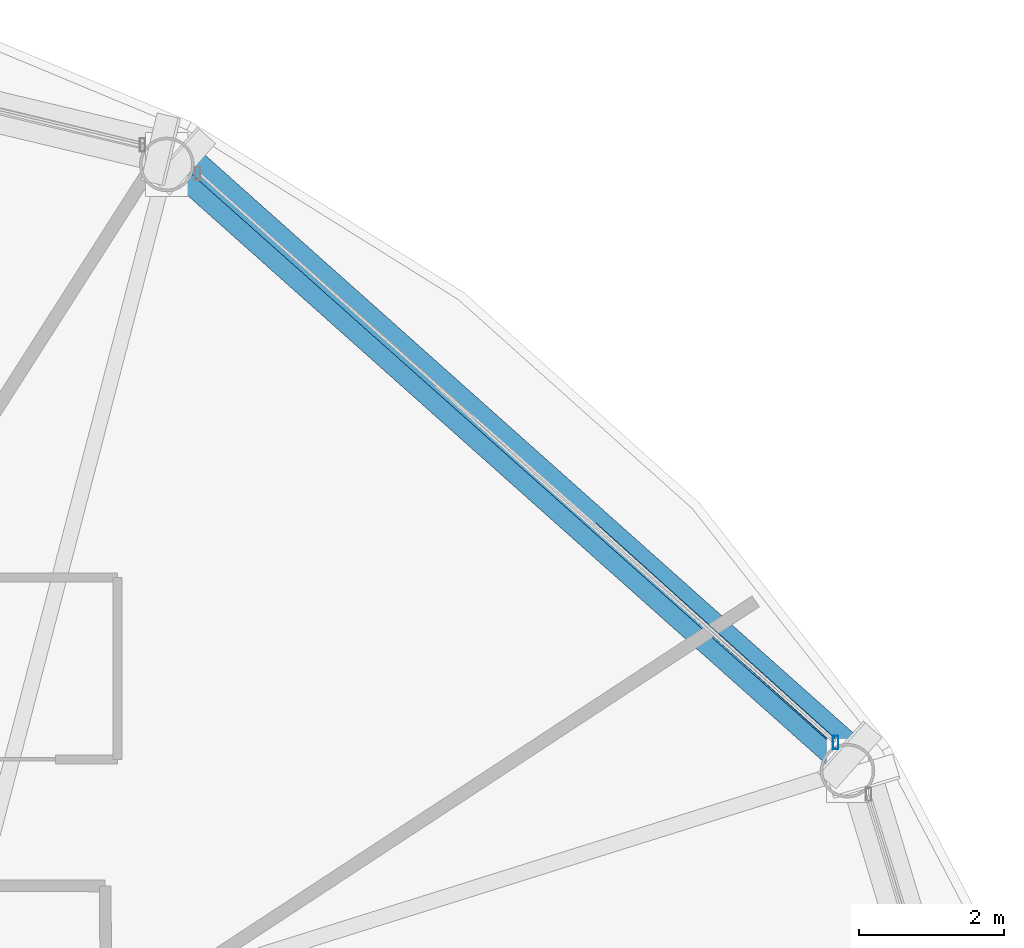
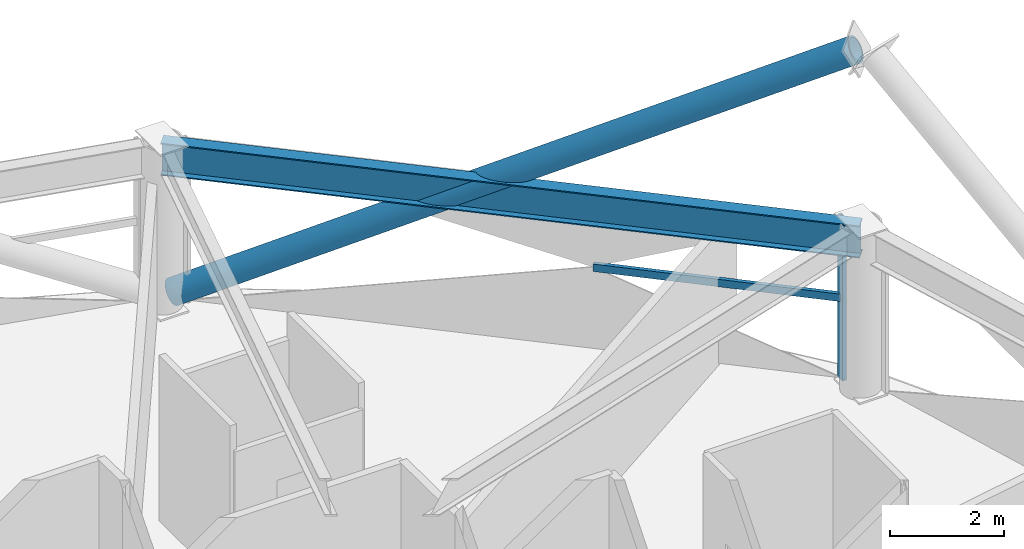
# One storey, part 19 of 32: 3 members, 1 beam, 1 element without a shape of its own.
"""IFC4 building model written with IfcOpenShell, lengths in metres."""

from ifc_helpers import new_model, si_unit, direction, frame, origin, origin_2d, place, context, subcontext, project, spatial, hollow_rectangle, hollow_circle, i_section, extrude, material, layer, layer_set, material_profile, profile_set, type_object, element, aggregate, save


model = new_model("IFC4")

# Units and contexts
model_context = context("Model", 3, precision=1e-05, world=origin(), true_north=direction((0.0, 1.0)))
body_context = subcontext(model_context, "Body", "Model", "MODEL_VIEW")
ifc_project = project(units=[si_unit("LENGTHUNIT", "METRE"), si_unit("AREAUNIT", "SQUARE_METRE"), si_unit("VOLUMEUNIT", "CUBIC_METRE"), si_unit("PLANEANGLEUNIT", "RADIAN"), si_unit("MASSUNIT", "GRAM", prefix="KILO")], contexts=[model_context])

# Site, building, storey
site_placement = place(None, origin())
site = spatial("IfcSite", under=ifc_project, at=site_placement, CompositionType="ELEMENT")
building_placement = place(site_placement, origin())
building = spatial("IfcBuilding", under=site, at=building_placement, Name="Vantalir Tower", CompositionType="ELEMENT")
storey_placement = place(building_placement, frame((0.0, 0.0, 104.699951171875)))
storey = spatial("IfcBuildingStorey", under=building, at=storey_placement, Name="L25", CompositionType="ELEMENT", Elevation=104.699951171875)

# Beam
ifc_material_1 = material(Name="Steel S460", Category="steel")
ifc_material_profile_1 = material_profile(ifc_material_1, i_section(OverallWidth=0.256103515625, OverallDepth=0.693115234375, WebThickness=0.014404296875, FlangeThickness=0.023681640625, at=origin_2d()), Name="Steel S460")
ifc_profile_set_1 = profile_set([ifc_material_profile_1], Name="Steel S460")
beam_type = type_object("IfcBeamType", Name="BM-RG-686x254", PredefinedType="USERDEFINED", material=ifc_profile_set_1)
beam_placement = place(storey_placement, frame((53.659912109375, 36.39404296875, 3.22314453125), z_axis=(-0.746784993974, 0.665065540211, 0.0), x_axis=(-0.665065540211, -0.746784993974, 0.0)))
element("IfcBeam", 1, at=beam_placement, inside=storey, type_object=beam_type, Name="L25 Circumferential Ring Girder 02", ObjectType="GIRDER", PredefinedType="USERDEFINED", context=body_context, shape_type="SweptSolid", body=[
    extrude(i_section(OverallWidth=0.256103515625, OverallDepth=0.693115234375, WebThickness=0.014404296875, FlangeThickness=0.023681640625, at=origin_2d()), origin(), (0.0, 0.0, 1.0), 12.541748046875),
])

# Curtain wall, members
ifc_material_2 = material(Name="Champagne-silver PVDF aluminium and double-silver Low-E glass", Category="aluminium")
ifc_layer = layer(ifc_material_2, 0.199951171875)
ifc_layer_set = layer_set([ifc_layer], Name="Champagne-silver PVDF aluminium and double-silver Low-E glass")
curtain_wall_type = type_object("IfcCurtainWallType", Name="CW-DIAMOND-Z2", PredefinedType="USERDEFINED", material=ifc_layer_set)
curtain_wall_placement = place(storey_placement, origin())
curtain_wall = element("IfcCurtainWall", 2, at=curtain_wall_placement, inside=storey, type_object=curtain_wall_type, Name="L25 Quilted Pyramid-Diamond Curtain Wall S02", ObjectType="UNITISED CURTAIN WALL", PredefinedType="USERDEFINED")
ifc_material_3 = material(Name="Champagne-silver PVDF aluminium 6063-T6", Category="aluminium")
ifc_material_profile_2 = material_profile(ifc_material_3, hollow_rectangle(XDim=0.074951171875, YDim=0.179931640625, WallThickness=0.00390625, at=origin_2d()), Name="Champagne-silver PVDF aluminium 6063-T6")
ifc_profile_set_2 = profile_set([ifc_material_profile_2], Name="Champagne-silver PVDF aluminium 6063-T6")
member_type_1 = type_object("IfcMemberType", Name="CWM-180x75", PredefinedType="MULLION", material=ifc_profile_set_2)
member_1_placement = place(storey_placement, frame((53.49609375, 36.781982421875, 0.045166015625), z_axis=(0.0, 0.0, 1.0), x_axis=(1.0, 0.0, 0.0)))
member_1 = element("IfcMember", 3, at=member_1_placement, type_object=member_type_1, Name="CW-L25-S02 Mullion 1", PredefinedType="MULLION", context=body_context, shape_type="SweptSolid", body=[
    extrude(hollow_rectangle(XDim=0.074951171875, YDim=0.179931640625, WallThickness=0.00390625, at=origin_2d()), origin(), (0.0, 0.0, 1.0), 3.47998046875),
])
ifc_material_profile_3 = material_profile(ifc_material_3, hollow_rectangle(XDim=0.074951171875, YDim=0.159912109375, WallThickness=0.00390625, at=origin_2d()), Name="Champagne-silver PVDF aluminium 6063-T6")
ifc_profile_set_3 = profile_set([ifc_material_profile_3], Name="Champagne-silver PVDF aluminium 6063-T6")
member_type_2 = type_object("IfcMemberType", Name="CWT-160x75", PredefinedType="USERDEFINED", material=ifc_profile_set_3)
member_2_placement = place(storey_placement, frame((53.49609375, 36.781982421875, 1.78515625), z_axis=(-0.743003128347, 0.669287943464, 0.0), x_axis=(-0.669287943464, -0.743003128347, 0.0)))
member_2 = element("IfcMember", 4, at=member_2_placement, type_object=member_type_2, Name="CW-L25-S02 Pyramid Fold Ridge Transom", ObjectType="TRANSOM", PredefinedType="USERDEFINED", context=body_context, shape_type="SweptSolid", body=[
    extrude(hollow_rectangle(XDim=0.074951171875, YDim=0.159912109375, WallThickness=0.00390625, at=origin_2d()), origin(), (0.0, 0.0, 1.0), 4.464599609375),
])
aggregate(curtain_wall, [member_1, member_2])

# Member
ifc_material_profile_4 = material_profile(ifc_material_1, hollow_circle(Radius=0.260009765625, WallThickness=0.0380859375, at=origin_2d()), Name="Steel S460")
ifc_profile_set_4 = profile_set([ifc_material_profile_4], Name="Steel S460")
member_type_3 = type_object("IfcMemberType", Name="MEM-DB-520x38", PredefinedType="BRACE", material=ifc_profile_set_4)
member_3_placement = place(storey_placement, frame((44.531982421875, 44.77294921875, 0.18798828125), z_axis=(0.649432518737, -0.579019850657, 0.492923336992), x_axis=(0.665484412794, 0.74641174718, 0.0)))
element("IfcMember", 5, at=member_3_placement, inside=storey, type_object=member_type_3, Name="L25 Perimeter S460 Diagrid Brace R07R", PredefinedType="BRACE", context=body_context, shape_type="SweptSolid", body=[
    extrude(hollow_circle(Radius=0.260009765625, WallThickness=0.0380859375, at=origin_2d()), origin(), (0.0, 0.0, 1.0), 14.087646484375),
])

save(model, "model.ifc")
